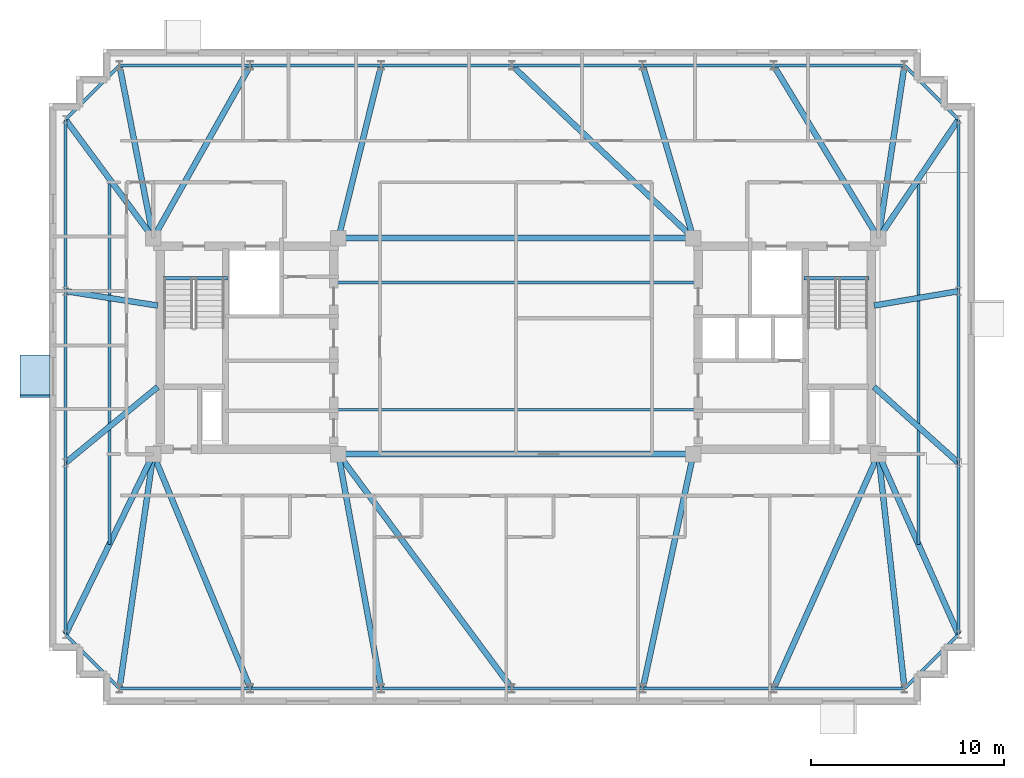
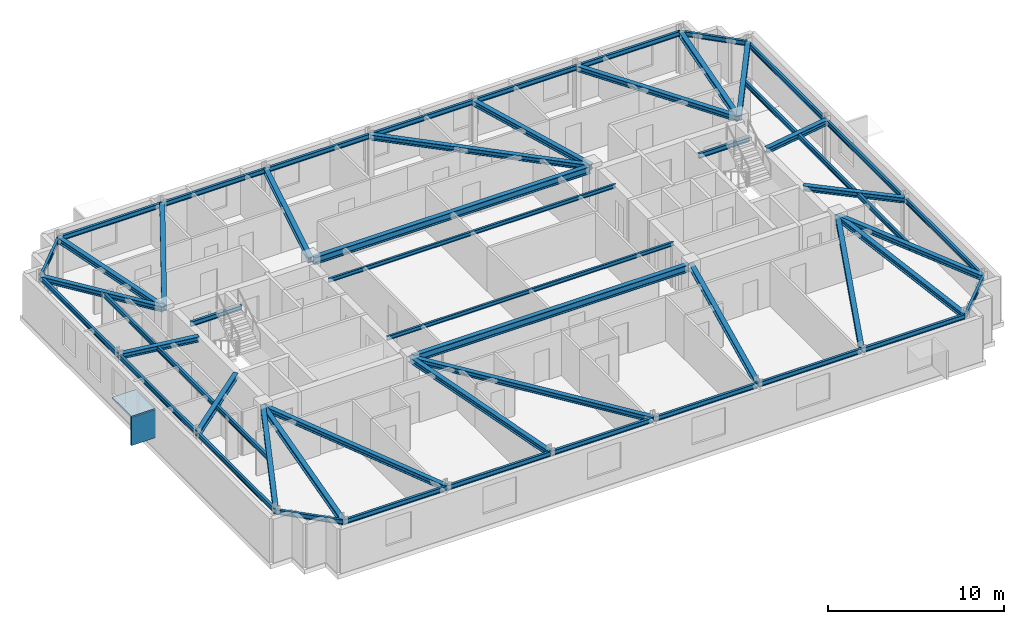
# One storey, part 4 of 11: 52 beams, 2 plates.
"""IFC4 building model written with IfcOpenShell, lengths in metres."""

from ifc_helpers import new_model, si_unit, direction, frame, origin, origin_2d, place, context, subcontext, project, spatial, rectangle, i_section, extrude, material, layer, layer_set, material_profile, profile_set, type_object, element, save


model = new_model("IFC4")

# Units and contexts
model_context = context("Model", 3, precision=1e-05, world=origin(), true_north=direction((0.0, 1.0)))
body_context = subcontext(model_context, "Body", "Model", "MODEL_VIEW")
ifc_project = project(units=[si_unit("LENGTHUNIT", "METRE"), si_unit("AREAUNIT", "SQUARE_METRE"), si_unit("VOLUMEUNIT", "CUBIC_METRE"), si_unit("PLANEANGLEUNIT", "RADIAN"), si_unit("MASSUNIT", "GRAM", prefix="KILO")], contexts=[model_context])

# Site, building, storey
site_placement = place(None, origin())
site = spatial("IfcSite", under=ifc_project, at=site_placement, CompositionType="ELEMENT")
building_placement = place(site_placement, origin())
building = spatial("IfcBuilding", under=site, at=building_placement, Name="Qobustan Lattice House", CompositionType="ELEMENT")
storey_placement = place(building_placement, frame((0.0, 0.0, 248.39990234375)))
storey = spatial("IfcBuildingStorey", under=building, at=storey_placement, Name="L70", CompositionType="ELEMENT", Elevation=248.39990234375)

# Beams
ifc_material_1 = material(Name="Steel S355", Category="steel")
ifc_material_profile_1 = material_profile(ifc_material_1, i_section(OverallWidth=0.300048828125, OverallDepth=0.5, WebThickness=0.014404296875, FlangeThickness=0.028076171875, FilletRadius=0.027099609375, at=origin_2d()), Name="HEB500")
ifc_profile_set_1 = profile_set([ifc_material_profile_1], Name="Steel S355")
beam_type_1 = type_object("IfcBeamType", Name="BM-CG-HEB500", PredefinedType="USERDEFINED", material=ifc_profile_set_1)
for number, where, z_axis, x_axis, name in (
    (1, (-9.050048828125, -5.60009765625, 2.7900390625), (1.0, 0.0, 0.0), (0.0, 1.0, 0.0), "L70 core spine girder CG-CS"),
    (2, (-9.050048828125, 5.60009765625, 2.7900390625), (1.0, 0.0, 0.0), (0.0, 1.0, 0.0), "L70 core spine girder CG-CN"),
):
    element("IfcBeam", number, at=place(storey_placement, frame(where, z_axis=z_axis, x_axis=x_axis)), inside=storey, type_object=beam_type_1, Name=name, ObjectType="GIRDER", PredefinedType="USERDEFINED", context=body_context, shape_type="SweptSolid", body=[
        extrude(i_section(OverallWidth=0.300048828125, OverallDepth=0.5, WebThickness=0.014404296875, FlangeThickness=0.028076171875, FilletRadius=0.027099609375, at=origin_2d()), origin(), (0.0, 0.0, 1.0), 18.10009765625),
    ])
ifc_material_2 = material(Name="Steel S355", Category="steel")
ifc_material_profile_2 = material_profile(ifc_material_2, i_section(OverallWidth=0.300048828125, OverallDepth=0.360107421875, WebThickness=0.012451171875, FlangeThickness=0.0224609375, FilletRadius=0.027099609375, at=origin_2d()), Name="HEB360")
ifc_profile_set_2 = profile_set([ifc_material_profile_2], Name="Steel S355")
beam_type_2 = type_object("IfcBeamType", Name="BM-FLG-HEB360", PredefinedType="USERDEFINED", material=ifc_profile_set_2)
beam_1_placement = place(storey_placement, frame((-20.54638671875, -17.725341796875, 2.860107421875), z_axis=(0.142545171265, 0.989788297642, 0.0), x_axis=(-0.989788297642, 0.142545171265, 0.0)))
element("IfcBeam", 3, at=beam_1_placement, inside=storey, type_object=beam_type_2, Name="L70 primary floor girder RAD-S1W", ObjectType="GIRDER", PredefinedType="USERDEFINED", context=body_context, shape_type="SweptSolid", body=[
    extrude(i_section(OverallWidth=0.300048828125, OverallDepth=0.360107421875, WebThickness=0.012451171875, FlangeThickness=0.0224609375, FilletRadius=0.027099609375, at=origin_2d()), origin(), (0.0, 0.0, 1.0), 12.225341796875),
])
beam_2_placement = place(storey_placement, frame((-13.7763671875, -17.726806640625, 2.860107421875), z_axis=(-0.38270783551, 0.92386942402, 0.0), x_axis=(-0.92386942402, -0.38270783551, 0.0)))
element("IfcBeam", 4, at=beam_2_placement, inside=storey, type_object=beam_type_2, Name="L70 primary floor girder RAD-S2", ObjectType="GIRDER", PredefinedType="USERDEFINED", context=body_context, shape_type="SweptSolid", body=[
    extrude(i_section(OverallWidth=0.300048828125, OverallDepth=0.360107421875, WebThickness=0.012451171875, FlangeThickness=0.0224609375, FilletRadius=0.027099609375, at=origin_2d()), origin(), (0.0, 0.0, 1.0), 13.10107421875),
])
beam_3_placement = place(storey_placement, frame((-6.98779296875, -17.725341796875, 2.860107421875), z_axis=(-0.179484493831, 0.983760802469, 0.0), x_axis=(-0.983760802469, -0.179484493831, 0.0)))
element("IfcBeam", 5, at=beam_3_placement, inside=storey, type_object=beam_type_2, Name="L70 primary floor girder RAD-S3", ObjectType="GIRDER", PredefinedType="USERDEFINED", context=body_context, shape_type="SweptSolid", body=[
    extrude(i_section(OverallWidth=0.300048828125, OverallDepth=0.360107421875, WebThickness=0.012451171875, FlangeThickness=0.0224609375, FilletRadius=0.027099609375, at=origin_2d()), origin(), (0.0, 0.0, 1.0), 12.300537109375),
])
beam_4_placement = place(storey_placement, frame((-0.21484375, -17.72998046875, 2.860107421875), z_axis=(-0.595225226069, 0.803558915233, 0.0), x_axis=(-0.803558915233, -0.595225226069, 0.0)))
element("IfcBeam", 6, at=beam_4_placement, inside=storey, type_object=beam_type_2, Name="L70 primary floor girder RAD-S4", ObjectType="GIRDER", PredefinedType="USERDEFINED", context=body_context, shape_type="SweptSolid", body=[
    extrude(i_section(OverallWidth=0.300048828125, OverallDepth=0.360107421875, WebThickness=0.012451171875, FlangeThickness=0.0224609375, FilletRadius=0.027099609375, at=origin_2d()), origin(), (0.0, 0.0, 1.0), 15.0703125),
])
beam_5_placement = place(storey_placement, frame((6.588623046875, -17.7255859375, 2.860107421875), z_axis=(0.210523018319, 0.977588900693, 0.0), x_axis=(-0.977588900693, 0.210523018319, 0.0)))
element("IfcBeam", 7, at=beam_5_placement, inside=storey, type_object=beam_type_2, Name="L70 primary floor girder RAD-S5", ObjectType="GIRDER", PredefinedType="USERDEFINED", context=body_context, shape_type="SweptSolid", body=[
    extrude(i_section(OverallWidth=0.300048828125, OverallDepth=0.360107421875, WebThickness=0.012451171875, FlangeThickness=0.0224609375, FilletRadius=0.027099609375, at=origin_2d()), origin(), (0.0, 0.0, 1.0), 12.37841796875),
])
beam_6_placement = place(storey_placement, frame((13.376953125, -17.727294921875, 2.860107421875), z_axis=(0.408219903586, 0.912883623643, 0.0), x_axis=(-0.912883623643, 0.408219903586, 0.0)))
element("IfcBeam", 8, at=beam_6_placement, inside=storey, type_object=beam_type_2, Name="L70 primary floor girder RAD-S6", ObjectType="GIRDER", PredefinedType="USERDEFINED", context=body_context, shape_type="SweptSolid", body=[
    extrude(i_section(OverallWidth=0.300048828125, OverallDepth=0.360107421875, WebThickness=0.012451171875, FlangeThickness=0.0224609375, FilletRadius=0.027099609375, at=origin_2d()), origin(), (0.0, 0.0, 1.0), 13.259521484375),
])
beam_7_placement = place(storey_placement, frame((20.147216796875, -17.72509765625, 2.860107421875), z_axis=(-0.110431526075, 0.993883734674, 0.0), x_axis=(-0.993883734674, -0.110431526075, 0.0)))
element("IfcBeam", 9, at=beam_7_placement, inside=storey, type_object=beam_type_2, Name="L70 primary floor girder RAD-S7E", ObjectType="GIRDER", PredefinedType="USERDEFINED", context=body_context, shape_type="SweptSolid", body=[
    extrude(i_section(OverallWidth=0.300048828125, OverallDepth=0.360107421875, WebThickness=0.012451171875, FlangeThickness=0.0224609375, FilletRadius=0.027099609375, at=origin_2d()), origin(), (0.0, 0.0, 1.0), 12.1748046875),
])
beam_8_placement = place(storey_placement, frame((-20.545166015625, 14.525390625, 2.860107421875), z_axis=(0.191905644581, -0.981413380578, 0.0), x_axis=(0.981413380578, 0.191905644581, 0.0)))
element("IfcBeam", 10, at=beam_8_placement, inside=storey, type_object=beam_type_2, Name="L70 primary floor girder RAD-N7W", ObjectType="GIRDER", PredefinedType="USERDEFINED", context=body_context, shape_type="SweptSolid", body=[
    extrude(i_section(OverallWidth=0.300048828125, OverallDepth=0.360107421875, WebThickness=0.012451171875, FlangeThickness=0.0224609375, FilletRadius=0.027099609375, at=origin_2d()), origin(), (0.0, 0.0, 1.0), 9.0693359375),
])
beam_9_placement = place(storey_placement, frame((-13.779052734375, 14.5283203125, 2.860107421875), z_axis=(-0.490160276962, -0.871632320929, 0.0), x_axis=(0.871632320929, -0.490160276962, 0.0)))
element("IfcBeam", 11, at=beam_9_placement, inside=storey, type_object=beam_type_2, Name="L70 primary floor girder RAD-N6", ObjectType="GIRDER", PredefinedType="USERDEFINED", context=body_context, shape_type="SweptSolid", body=[
    extrude(i_section(OverallWidth=0.300048828125, OverallDepth=0.360107421875, WebThickness=0.012451171875, FlangeThickness=0.0224609375, FilletRadius=0.027099609375, at=origin_2d()), origin(), (0.0, 0.0, 1.0), 10.21826171875),
])
beam_10_placement = place(storey_placement, frame((-6.9892578125, 14.525634765625, 2.860107421875), z_axis=(-0.240430288899, -0.970666408289, 0.0), x_axis=(0.970666408289, -0.240430288899, 0.0)))
element("IfcBeam", 12, at=beam_10_placement, inside=storey, type_object=beam_type_2, Name="L70 primary floor girder RAD-N5", ObjectType="GIRDER", PredefinedType="USERDEFINED", context=body_context, shape_type="SweptSolid", body=[
    extrude(i_section(OverallWidth=0.300048828125, OverallDepth=0.360107421875, WebThickness=0.012451171875, FlangeThickness=0.0224609375, FilletRadius=0.027099609375, at=origin_2d()), origin(), (0.0, 0.0, 1.0), 9.17041015625),
])
beam_11_placement = place(storey_placement, frame((-0.181884765625, 14.53271484375, 2.860107421875), z_axis=(0.724228633775, -0.689559921995, 0.0), x_axis=(0.689559921995, 0.724228633775, 0.0)))
element("IfcBeam", 13, at=beam_11_placement, inside=storey, type_object=beam_type_2, Name="L70 primary floor girder RAD-N4", ObjectType="GIRDER", PredefinedType="USERDEFINED", context=body_context, shape_type="SweptSolid", body=[
    extrude(i_section(OverallWidth=0.300048828125, OverallDepth=0.360107421875, WebThickness=0.012451171875, FlangeThickness=0.0224609375, FilletRadius=0.027099609375, at=origin_2d()), origin(), (0.0, 0.0, 1.0), 12.92919921875),
])
beam_12_placement = place(storey_placement, frame((6.59033203125, 14.52587890625, 2.860107421875), z_axis=(0.28063676088, -0.959814048888, 0.0), x_axis=(0.959814048888, 0.28063676088, 0.0)))
element("IfcBeam", 14, at=beam_12_placement, inside=storey, type_object=beam_type_2, Name="L70 primary floor girder RAD-N3", ObjectType="GIRDER", PredefinedType="USERDEFINED", context=body_context, shape_type="SweptSolid", body=[
    extrude(i_section(OverallWidth=0.300048828125, OverallDepth=0.360107421875, WebThickness=0.012451171875, FlangeThickness=0.0224609375, FilletRadius=0.027099609375, at=origin_2d()), origin(), (0.0, 0.0, 1.0), 9.274658203125),
])
beam_13_placement = place(storey_placement, frame((13.379638671875, 14.528564453125, 2.860107421875), z_axis=(0.518943895492, -0.854808302096, 0.0), x_axis=(0.854808302096, 0.518943895492, 0.0)))
element("IfcBeam", 15, at=beam_13_placement, inside=storey, type_object=beam_type_2, Name="L70 primary floor girder RAD-N2", ObjectType="GIRDER", PredefinedType="USERDEFINED", context=body_context, shape_type="SweptSolid", body=[
    extrude(i_section(OverallWidth=0.300048828125, OverallDepth=0.360107421875, WebThickness=0.012451171875, FlangeThickness=0.0224609375, FilletRadius=0.027099609375, at=origin_2d()), origin(), (0.0, 0.0, 1.0), 10.420166015625),
])
beam_14_placement = place(storey_placement, frame((20.146240234375, 14.525390625, 2.860107421875), z_axis=(-0.149148118249, -0.988814865798, 0.0), x_axis=(0.988814865798, -0.149148118249, 0.0)))
element("IfcBeam", 16, at=beam_14_placement, inside=storey, type_object=beam_type_2, Name="L70 primary floor girder RAD-N1E", ObjectType="GIRDER", PredefinedType="USERDEFINED", context=body_context, shape_type="SweptSolid", body=[
    extrude(i_section(OverallWidth=0.300048828125, OverallDepth=0.360107421875, WebThickness=0.012451171875, FlangeThickness=0.0224609375, FilletRadius=0.027099609375, at=origin_2d()), origin(), (0.0, 0.0, 1.0), 9.001220703125),
])
beam_15_placement = place(storey_placement, frame((-23.335205078125, 11.72998046875, 2.860107421875), z_axis=(0.594754993974, -0.80390702021, 0.0), x_axis=(0.80390702021, 0.594754993974, 0.0)))
element("IfcBeam", 17, at=beam_15_placement, inside=storey, type_object=beam_type_2, Name="L70 primary floor girder RAD-W1", ObjectType="GIRDER", PredefinedType="USERDEFINED", context=body_context, shape_type="SweptSolid", body=[
    extrude(i_section(OverallWidth=0.300048828125, OverallDepth=0.360107421875, WebThickness=0.012451171875, FlangeThickness=0.0224609375, FilletRadius=0.027099609375, at=origin_2d()), origin(), (0.0, 0.0, 1.0), 7.60009765625),
])
beam_16_placement = place(storey_placement, frame((-23.3251953125, 2.84619140625, 2.860107421875), z_axis=(0.988014453876, -0.154361390677, 0.0), x_axis=(0.154361390677, 0.988014453876, 0.0)))
element("IfcBeam", 18, at=beam_16_placement, inside=storey, type_object=beam_type_2, Name="L70 primary floor girder RAD-W2", ObjectType="GIRDER", PredefinedType="USERDEFINED", context=body_context, shape_type="SweptSolid", body=[
    extrude(i_section(OverallWidth=0.300048828125, OverallDepth=0.360107421875, WebThickness=0.012451171875, FlangeThickness=0.0224609375, FilletRadius=0.027099609375, at=origin_2d()), origin(), (0.0, 0.0, 1.0), 4.80810546875),
])
beam_17_placement = place(storey_placement, frame((-23.330810546875, -6.0341796875, 2.860107421875), z_axis=(0.772169041192, 0.635417163621, 0.0), x_axis=(-0.635417163621, 0.772169041192, 0.0)))
element("IfcBeam", 19, at=beam_17_placement, inside=storey, type_object=beam_type_2, Name="L70 primary floor girder RAD-W3", ObjectType="GIRDER", PredefinedType="USERDEFINED", context=body_context, shape_type="SweptSolid", body=[
    extrude(i_section(OverallWidth=0.300048828125, OverallDepth=0.360107421875, WebThickness=0.012451171875, FlangeThickness=0.0224609375, FilletRadius=0.027099609375, at=origin_2d()), origin(), (0.0, 0.0, 1.0), 6.166259765625),
])
beam_18_placement = place(storey_placement, frame((-23.339111328125, -14.927490234375, 2.860107421875), z_axis=(0.437590490598, 0.899174378271, 0.0), x_axis=(-0.899174378271, 0.437590490598, 0.0)))
element("IfcBeam", 20, at=beam_18_placement, inside=storey, type_object=beam_type_2, Name="L70 primary floor girder RAD-W4", ObjectType="GIRDER", PredefinedType="USERDEFINED", context=body_context, shape_type="SweptSolid", body=[
    extrude(i_section(OverallWidth=0.300048828125, OverallDepth=0.360107421875, WebThickness=0.012451171875, FlangeThickness=0.0224609375, FilletRadius=0.027099609375, at=origin_2d()), origin(), (0.0, 0.0, 1.0), 10.348388671875),
])
beam_19_placement = place(storey_placement, frame((22.93603515625, 11.729248046875, 2.860107421875), z_axis=(-0.559355068937, -0.828928167488, 0.0), x_axis=(0.828928167488, -0.559355068937, 0.0)))
element("IfcBeam", 21, at=beam_19_placement, inside=storey, type_object=beam_type_2, Name="L70 primary floor girder RAD-E4", ObjectType="GIRDER", PredefinedType="USERDEFINED", context=body_context, shape_type="SweptSolid", body=[
    extrude(i_section(OverallWidth=0.300048828125, OverallDepth=0.360107421875, WebThickness=0.012451171875, FlangeThickness=0.0224609375, FilletRadius=0.027099609375, at=origin_2d()), origin(), (0.0, 0.0, 1.0), 7.369384765625),
])
beam_20_placement = place(storey_placement, frame((22.92529296875, 2.845703125, 2.860107421875), z_axis=(-0.985786297247, -0.168004095664, 0.0), x_axis=(0.168004095664, -0.985786297247, 0.0)))
element("IfcBeam", 22, at=beam_20_placement, inside=storey, type_object=beam_type_2, Name="L70 primary floor girder RAD-E3", ObjectType="GIRDER", PredefinedType="USERDEFINED", context=body_context, shape_type="SweptSolid", body=[
    extrude(i_section(OverallWidth=0.300048828125, OverallDepth=0.360107421875, WebThickness=0.012451171875, FlangeThickness=0.0224609375, FilletRadius=0.027099609375, at=origin_2d()), origin(), (0.0, 0.0, 1.0), 4.413330078125),
])
beam_21_placement = place(storey_placement, frame((22.931396484375, -6.033203125, 2.860107421875), z_axis=(-0.744142492307, 0.668020921186, 0.0), x_axis=(-0.668020921186, -0.744142492307, 0.0)))
element("IfcBeam", 23, at=beam_21_placement, inside=storey, type_object=beam_type_2, Name="L70 primary floor girder RAD-E2", ObjectType="GIRDER", PredefinedType="USERDEFINED", context=body_context, shape_type="SweptSolid", body=[
    extrude(i_section(OverallWidth=0.300048828125, OverallDepth=0.360107421875, WebThickness=0.012451171875, FlangeThickness=0.0224609375, FilletRadius=0.027099609375, at=origin_2d()), origin(), (0.0, 0.0, 1.0), 5.86279296875),
])
beam_22_placement = place(storey_placement, frame((22.93994140625, -14.927001953125, 2.860107421875), z_axis=(-0.405702269061, 0.914005289306, 0.0), x_axis=(-0.914005289306, -0.405702269061, 0.0)))
element("IfcBeam", 24, at=beam_22_placement, inside=storey, type_object=beam_type_2, Name="L70 primary floor girder RAD-E1", ObjectType="GIRDER", PredefinedType="USERDEFINED", context=body_context, shape_type="SweptSolid", body=[
    extrude(i_section(OverallWidth=0.300048828125, OverallDepth=0.360107421875, WebThickness=0.012451171875, FlangeThickness=0.0224609375, FilletRadius=0.027099609375, at=origin_2d()), origin(), (0.0, 0.0, 1.0), 10.1796875),
])
ifc_material_3 = material(Name="Steel S355", Category="steel")
ifc_material_profile_3 = material_profile(ifc_material_3, i_section(OverallWidth=0.135009765625, OverallDepth=0.27001953125, WebThickness=0.006591796875, FlangeThickness=0.01025390625, FilletRadius=0.014892578125, at=origin_2d()), Name="IPE270")
ifc_profile_set_3 = profile_set([ifc_material_profile_3], Name="Steel S355")
beam_type_3 = type_object("IfcBeamType", Name="BM-JST-IPE270", PredefinedType="JOIST", material=ifc_profile_set_3)
for number, where, z_axis, x_axis, name in (
    (25, (-9.39990234375, -3.300048828125, 2.905029296875), (1.0, 0.0, 0.0), (0.0, 1.0, 0.0), "L70 central span floor joist 1"),
    (26, (-9.39990234375, 3.300048828125, 2.905029296875), (1.0, 0.0, 0.0), (0.0, 1.0, 0.0), "L70 central span floor joist 2"),
):
    element("IfcBeam", number, at=place(storey_placement, frame(where, z_axis=z_axis, x_axis=x_axis)), inside=storey, type_object=beam_type_3, Name=name, PredefinedType="JOIST", context=body_context, shape_type="SweptSolid", body=[
        extrude(i_section(OverallWidth=0.135009765625, OverallDepth=0.27001953125, WebThickness=0.006591796875, FlangeThickness=0.01025390625, FilletRadius=0.014892578125, at=origin_2d()), origin(), (0.0, 0.0, 1.0), 18.7998046875),
    ])
ifc_material_4 = material(Name="Steel S355", Category="steel")
ifc_material_profile_4 = material_profile(ifc_material_4, i_section(OverallWidth=0.159912109375, OverallDepth=0.330078125, WebThickness=0.007568359375, FlangeThickness=0.011474609375, FilletRadius=0.01806640625, at=origin_2d()), Name="IPE330")
ifc_profile_set_4 = profile_set([ifc_material_profile_4], Name="Steel S355")
beam_type_4 = type_object("IfcBeamType", Name="BM-SEC-IPE330", PredefinedType="BEAM", material=ifc_profile_set_4)
for number, where, z_axis, x_axis, name in (
    (27, (-21.074951171875, 8.675048828125, 2.875), (0.0, -1.0, 0.0), (1.0, 0.0, 0.0), "L70 west wing secondary beam"),
    (28, (20.875, 8.675048828125, 2.875), (0.0, -1.0, 0.0), (1.0, 0.0, 0.0), "L70 east wing secondary beam"),
):
    element("IfcBeam", number, at=place(storey_placement, frame(where, z_axis=z_axis, x_axis=x_axis)), inside=storey, type_object=beam_type_4, Name=name, PredefinedType="BEAM", context=body_context, shape_type="SweptSolid", body=[
        extrude(i_section(OverallWidth=0.159912109375, OverallDepth=0.330078125, WebThickness=0.007568359375, FlangeThickness=0.011474609375, FilletRadius=0.01806640625, at=origin_2d()), origin(), (0.0, 0.0, 1.0), 18.949951171875),
    ])
ifc_material_5 = material(Name="Steel S355", Category="steel")
ifc_material_profile_5 = material_profile(ifc_material_5, i_section(OverallWidth=0.159912109375, OverallDepth=0.330078125, WebThickness=0.007568359375, FlangeThickness=0.011474609375, FilletRadius=0.01806640625, at=origin_2d()), Name="IPE330")
ifc_profile_set_5 = profile_set([ifc_material_profile_5], Name="Steel S355")
beam_type_5 = type_object("IfcBeamType", Name="BM-SPD-IPE330", PredefinedType="SPANDREL", material=ifc_profile_set_5)
for number, where, z_axis, x_axis, name in (
    (29, (-18.300048828125, 3.52001953125, 2.875), (1.0, 0.0, 0.0), (0.0, 1.0, 0.0), "L70 west stair landing trimmer beam"),
    (30, (14.949951171875, 3.52001953125, 2.875), (1.0, 0.0, 0.0), (0.0, 1.0, 0.0), "L70 east stair landing trimmer beam"),
):
    element("IfcBeam", number, at=place(storey_placement, frame(where, z_axis=z_axis, x_axis=x_axis)), inside=storey, type_object=beam_type_5, Name=name, PredefinedType="SPANDREL", context=body_context, shape_type="SweptSolid", body=[
        extrude(i_section(OverallWidth=0.159912109375, OverallDepth=0.330078125, WebThickness=0.007568359375, FlangeThickness=0.011474609375, FilletRadius=0.01806640625, at=origin_2d()), origin(), (0.0, 0.0, 1.0), 3.35009765625),
    ])
beam_23_placement = place(storey_placement, frame((-20.52490234375, -17.75, 2.875), z_axis=(1.0, 0.0, 0.0), x_axis=(0.0, 1.0, 0.0)))
element("IfcBeam", 31, at=beam_23_placement, inside=storey, type_object=beam_type_5, Name="L70 perimeter spandrel S1-S2", PredefinedType="SPANDREL", context=body_context, shape_type="SweptSolid", body=[
    extrude(i_section(OverallWidth=0.159912109375, OverallDepth=0.330078125, WebThickness=0.007568359375, FlangeThickness=0.011474609375, FilletRadius=0.01806640625, at=origin_2d()), origin(), (0.0, 0.0, 1.0), 6.733154296875),
])
beam_24_placement = place(storey_placement, frame((-13.74169921875, -17.75, 2.875), z_axis=(1.0, 0.0, 0.0), x_axis=(0.0, 1.0, 0.0)))
element("IfcBeam", 32, at=beam_24_placement, inside=storey, type_object=beam_type_5, Name="L70 perimeter spandrel S2-S3", PredefinedType="SPANDREL", context=body_context, shape_type="SweptSolid", body=[
    extrude(i_section(OverallWidth=0.159912109375, OverallDepth=0.330078125, WebThickness=0.007568359375, FlangeThickness=0.011474609375, FilletRadius=0.01806640625, at=origin_2d()), origin(), (0.0, 0.0, 1.0), 6.7333984375),
])
beam_25_placement = place(storey_placement, frame((-6.958251953125, -17.75, 2.875), z_axis=(1.0, 0.0, 0.0), x_axis=(0.0, 1.0, 0.0)))
element("IfcBeam", 33, at=beam_25_placement, inside=storey, type_object=beam_type_5, Name="L70 perimeter spandrel S3-S4", PredefinedType="SPANDREL", context=body_context, shape_type="SweptSolid", body=[
    extrude(i_section(OverallWidth=0.159912109375, OverallDepth=0.330078125, WebThickness=0.007568359375, FlangeThickness=0.011474609375, FilletRadius=0.01806640625, at=origin_2d()), origin(), (0.0, 0.0, 1.0), 6.733154296875),
])
for number, where, z_axis, x_axis, name in (
    (34, (-0.175048828125, -17.75, 2.875), (1.0, 0.0, 0.0), (0.0, 1.0, 0.0), "L70 perimeter spandrel S4-S5"),
    (35, (6.6083984375, -17.75, 2.875), (1.0, 0.0, 0.0), (0.0, 1.0, 0.0), "L70 perimeter spandrel S5-S6"),
    (36, (13.3916015625, -17.75, 2.875), (1.0, 0.0, 0.0), (0.0, 1.0, 0.0), "L70 perimeter spandrel S6-S7"),
):
    element("IfcBeam", number, at=place(storey_placement, frame(where, z_axis=z_axis, x_axis=x_axis)), inside=storey, type_object=beam_type_5, Name=name, PredefinedType="SPANDREL", context=body_context, shape_type="SweptSolid", body=[
        extrude(i_section(OverallWidth=0.159912109375, OverallDepth=0.330078125, WebThickness=0.007568359375, FlangeThickness=0.011474609375, FilletRadius=0.01806640625, at=origin_2d()), origin(), (0.0, 0.0, 1.0), 6.7333984375),
    ])
beam_26_placement = place(storey_placement, frame((20.167724609375, -17.732421875, 2.875), z_axis=(0.707106781187, 0.707106781187, 0.0), x_axis=(-0.707106781187, 0.707106781187, 0.0)))
element("IfcBeam", 37, at=beam_26_placement, inside=storey, type_object=beam_type_5, Name="L70 perimeter spandrel S7-E1", PredefinedType="SPANDREL", context=body_context, shape_type="SweptSolid", body=[
    extrude(i_section(OverallWidth=0.159912109375, OverallDepth=0.330078125, WebThickness=0.007568359375, FlangeThickness=0.011474609375, FilletRadius=0.01806640625, at=origin_2d()), origin(), (0.0, 0.0, 1.0), 3.909912109375),
])
beam_27_placement = place(storey_placement, frame((22.949951171875, -14.925048828125, 2.875), z_axis=(0.0, 1.0, 0.0), x_axis=(-1.0, 0.0, 0.0)))
element("IfcBeam", 38, at=beam_27_placement, inside=storey, type_object=beam_type_5, Name="L70 perimeter spandrel E1-E2", PredefinedType="SPANDREL", context=body_context, shape_type="SweptSolid", body=[
    extrude(i_section(OverallWidth=0.159912109375, OverallDepth=0.330078125, WebThickness=0.007568359375, FlangeThickness=0.011474609375, FilletRadius=0.01806640625, at=origin_2d()), origin(), (0.0, 0.0, 1.0), 8.85009765625),
])
beam_28_placement = place(storey_placement, frame((22.949951171875, -6.02490234375, 2.875), z_axis=(0.0, 1.0, 0.0), x_axis=(-1.0, 0.0, 0.0)))
element("IfcBeam", 39, at=beam_28_placement, inside=storey, type_object=beam_type_5, Name="L70 perimeter spandrel E2-E3", PredefinedType="SPANDREL", context=body_context, shape_type="SweptSolid", body=[
    extrude(i_section(OverallWidth=0.159912109375, OverallDepth=0.330078125, WebThickness=0.007568359375, FlangeThickness=0.011474609375, FilletRadius=0.01806640625, at=origin_2d()), origin(), (0.0, 0.0, 1.0), 8.849853515625),
])
beam_29_placement = place(storey_placement, frame((22.949951171875, 2.875, 2.875), z_axis=(0.0, 1.0, 0.0), x_axis=(-1.0, 0.0, 0.0)))
element("IfcBeam", 40, at=beam_29_placement, inside=storey, type_object=beam_type_5, Name="L70 perimeter spandrel E3-E4", PredefinedType="SPANDREL", context=body_context, shape_type="SweptSolid", body=[
    extrude(i_section(OverallWidth=0.159912109375, OverallDepth=0.330078125, WebThickness=0.007568359375, FlangeThickness=0.011474609375, FilletRadius=0.01806640625, at=origin_2d()), origin(), (0.0, 0.0, 1.0), 8.85009765625),
])
beam_30_placement = place(storey_placement, frame((22.932373046875, 11.767578125, 2.875), z_axis=(-0.707106781187, 0.707106781187, 0.0), x_axis=(-0.707106781187, -0.707106781187, 0.0)))
element("IfcBeam", 41, at=beam_30_placement, inside=storey, type_object=beam_type_5, Name="L70 perimeter spandrel E4-N1", PredefinedType="SPANDREL", context=body_context, shape_type="SweptSolid", body=[
    extrude(i_section(OverallWidth=0.159912109375, OverallDepth=0.330078125, WebThickness=0.007568359375, FlangeThickness=0.011474609375, FilletRadius=0.01806640625, at=origin_2d()), origin(), (0.0, 0.0, 1.0), 3.909912109375),
])
for number, where, z_axis, x_axis, name in (
    (42, (20.125, 14.550048828125, 2.875), (-1.0, 0.0, 0.0), (0.0, -1.0, 0.0), "L70 perimeter spandrel N1-N2"),
    (43, (13.341796875, 14.550048828125, 2.875), (-1.0, 0.0, 0.0), (0.0, -1.0, 0.0), "L70 perimeter spandrel N2-N3"),
    (44, (6.558349609375, 14.550048828125, 2.875), (-1.0, 0.0, 0.0), (0.0, -1.0, 0.0), "L70 perimeter spandrel N3-N4"),
):
    element("IfcBeam", number, at=place(storey_placement, frame(where, z_axis=z_axis, x_axis=x_axis)), inside=storey, type_object=beam_type_5, Name=name, PredefinedType="SPANDREL", context=body_context, shape_type="SweptSolid", body=[
        extrude(i_section(OverallWidth=0.159912109375, OverallDepth=0.330078125, WebThickness=0.007568359375, FlangeThickness=0.011474609375, FilletRadius=0.01806640625, at=origin_2d()), origin(), (0.0, 0.0, 1.0), 6.7333984375),
    ])
beam_31_placement = place(storey_placement, frame((-0.22509765625, 14.550048828125, 2.875), z_axis=(-1.0, 0.0, 0.0), x_axis=(0.0, -1.0, 0.0)))
element("IfcBeam", 45, at=beam_31_placement, inside=storey, type_object=beam_type_5, Name="L70 perimeter spandrel N4-N5", PredefinedType="SPANDREL", context=body_context, shape_type="SweptSolid", body=[
    extrude(i_section(OverallWidth=0.159912109375, OverallDepth=0.330078125, WebThickness=0.007568359375, FlangeThickness=0.011474609375, FilletRadius=0.01806640625, at=origin_2d()), origin(), (0.0, 0.0, 1.0), 6.733154296875),
])
beam_32_placement = place(storey_placement, frame((-7.00830078125, 14.550048828125, 2.875), z_axis=(-1.0, 0.0, 0.0), x_axis=(0.0, -1.0, 0.0)))
element("IfcBeam", 46, at=beam_32_placement, inside=storey, type_object=beam_type_5, Name="L70 perimeter spandrel N5-N6", PredefinedType="SPANDREL", context=body_context, shape_type="SweptSolid", body=[
    extrude(i_section(OverallWidth=0.159912109375, OverallDepth=0.330078125, WebThickness=0.007568359375, FlangeThickness=0.011474609375, FilletRadius=0.01806640625, at=origin_2d()), origin(), (0.0, 0.0, 1.0), 6.7333984375),
])
beam_33_placement = place(storey_placement, frame((-13.791748046875, 14.550048828125, 2.875), z_axis=(-1.0, 0.0, 0.0), x_axis=(0.0, -1.0, 0.0)))
element("IfcBeam", 47, at=beam_33_placement, inside=storey, type_object=beam_type_5, Name="L70 perimeter spandrel N6-N7", PredefinedType="SPANDREL", context=body_context, shape_type="SweptSolid", body=[
    extrude(i_section(OverallWidth=0.159912109375, OverallDepth=0.330078125, WebThickness=0.007568359375, FlangeThickness=0.011474609375, FilletRadius=0.01806640625, at=origin_2d()), origin(), (0.0, 0.0, 1.0), 6.733154296875),
])
beam_34_placement = place(storey_placement, frame((-20.567626953125, 14.5322265625, 2.875), z_axis=(-0.707106781187, -0.707106781187, 0.0), x_axis=(0.707106781187, -0.707106781187, 0.0)))
element("IfcBeam", 48, at=beam_34_placement, inside=storey, type_object=beam_type_5, Name="L70 perimeter spandrel N7-W1", PredefinedType="SPANDREL", context=body_context, shape_type="SweptSolid", body=[
    extrude(i_section(OverallWidth=0.159912109375, OverallDepth=0.330078125, WebThickness=0.007568359375, FlangeThickness=0.011474609375, FilletRadius=0.01806640625, at=origin_2d()), origin(), (0.0, 0.0, 1.0), 3.909912109375),
])
beam_35_placement = place(storey_placement, frame((-23.35009765625, 11.72509765625, 2.875), z_axis=(0.0, -1.0, 0.0), x_axis=(1.0, 0.0, 0.0)))
element("IfcBeam", 49, at=beam_35_placement, inside=storey, type_object=beam_type_5, Name="L70 perimeter spandrel W1-W2", PredefinedType="SPANDREL", context=body_context, shape_type="SweptSolid", body=[
    extrude(i_section(OverallWidth=0.159912109375, OverallDepth=0.330078125, WebThickness=0.007568359375, FlangeThickness=0.011474609375, FilletRadius=0.01806640625, at=origin_2d()), origin(), (0.0, 0.0, 1.0), 8.85009765625),
])
beam_36_placement = place(storey_placement, frame((-23.35009765625, 2.824951171875, 2.875), z_axis=(0.0, -1.0, 0.0), x_axis=(1.0, 0.0, 0.0)))
element("IfcBeam", 50, at=beam_36_placement, inside=storey, type_object=beam_type_5, Name="L70 perimeter spandrel W2-W3", PredefinedType="SPANDREL", context=body_context, shape_type="SweptSolid", body=[
    extrude(i_section(OverallWidth=0.159912109375, OverallDepth=0.330078125, WebThickness=0.007568359375, FlangeThickness=0.011474609375, FilletRadius=0.01806640625, at=origin_2d()), origin(), (0.0, 0.0, 1.0), 8.849853515625),
])
beam_37_placement = place(storey_placement, frame((-23.35009765625, -6.074951171875, 2.875), z_axis=(0.0, -1.0, 0.0), x_axis=(1.0, 0.0, 0.0)))
element("IfcBeam", 51, at=beam_37_placement, inside=storey, type_object=beam_type_5, Name="L70 perimeter spandrel W3-W4", PredefinedType="SPANDREL", context=body_context, shape_type="SweptSolid", body=[
    extrude(i_section(OverallWidth=0.159912109375, OverallDepth=0.330078125, WebThickness=0.007568359375, FlangeThickness=0.011474609375, FilletRadius=0.01806640625, at=origin_2d()), origin(), (0.0, 0.0, 1.0), 8.85009765625),
])
beam_38_placement = place(storey_placement, frame((-23.332275390625, -14.9677734375, 2.875), z_axis=(0.707106781187, -0.707106781187, 0.0), x_axis=(0.707106781187, 0.707106781187, 0.0)))
element("IfcBeam", 52, at=beam_38_placement, inside=storey, type_object=beam_type_5, Name="L70 perimeter spandrel W4-S1", PredefinedType="SPANDREL", context=body_context, shape_type="SweptSolid", body=[
    extrude(i_section(OverallWidth=0.159912109375, OverallDepth=0.330078125, WebThickness=0.007568359375, FlangeThickness=0.011474609375, FilletRadius=0.01806640625, at=origin_2d()), origin(), (0.0, 0.0, 1.0), 3.909912109375),
])

# Plates
ifc_material_6 = material(Name="Qobustan limestone GFRC", Category="masonry")
ifc_layer = layer(ifc_material_6, 0.1201171875)
ifc_layer_set = layer_set([ifc_layer], Name="Qobustan limestone GFRC")
plate_type = type_object("IfcPlateType", Name="SHD-HOOD-BROW", PredefinedType="USERDEFINED", material=ifc_layer_set)
plate_1_placement = place(storey_placement, frame((-24.929931640625, -1.56005859375, 2.699951171875), z_axis=(0.0, 0.0, 1.0), x_axis=(0.0, 1.0, 0.0)))
element("IfcPlate", 53, at=plate_1_placement, inside=storey, type_object=plate_type, Name="L70 splayed Qobustan stone hood brow", ObjectType="SUNSHADE", PredefinedType="USERDEFINED", context=body_context, shape_type="SweptSolid", body=[
    extrude(rectangle(XDim=2.18994140625, YDim=1.56005859375, at=origin_2d()), origin(), (0.0, 0.0, 1.0), 0.1201171875),
])
plate_2_placement = place(storey_placement, frame((-24.929931640625, -2.594970703125, 0.7900390625), z_axis=(0.0, 0.0, 1.0), x_axis=(0.0, 1.0, 0.0)))
element("IfcPlate", 54, at=plate_2_placement, inside=storey, type_object=plate_type, Name="L70 splayed Qobustan stone hood cheek", ObjectType="SUNSHADE", PredefinedType="USERDEFINED", context=body_context, shape_type="SweptSolid", body=[
    extrude(rectangle(XDim=0.1201171875, YDim=1.56005859375, at=origin_2d()), origin(), (0.0, 0.0, 1.0), 1.969970703125),
])

save(model, "model.ifc")
